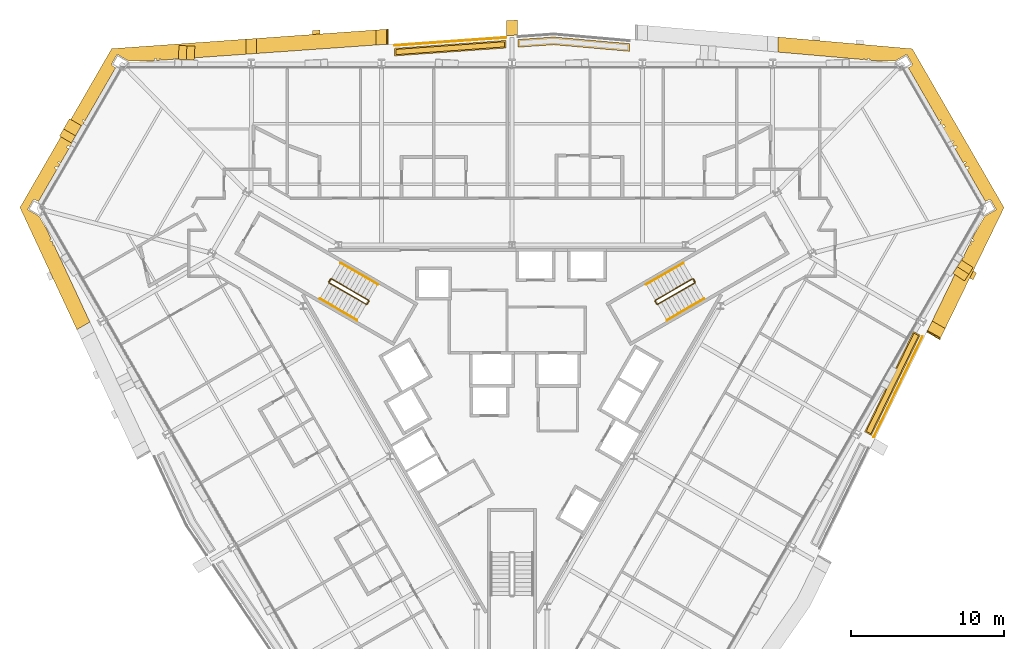
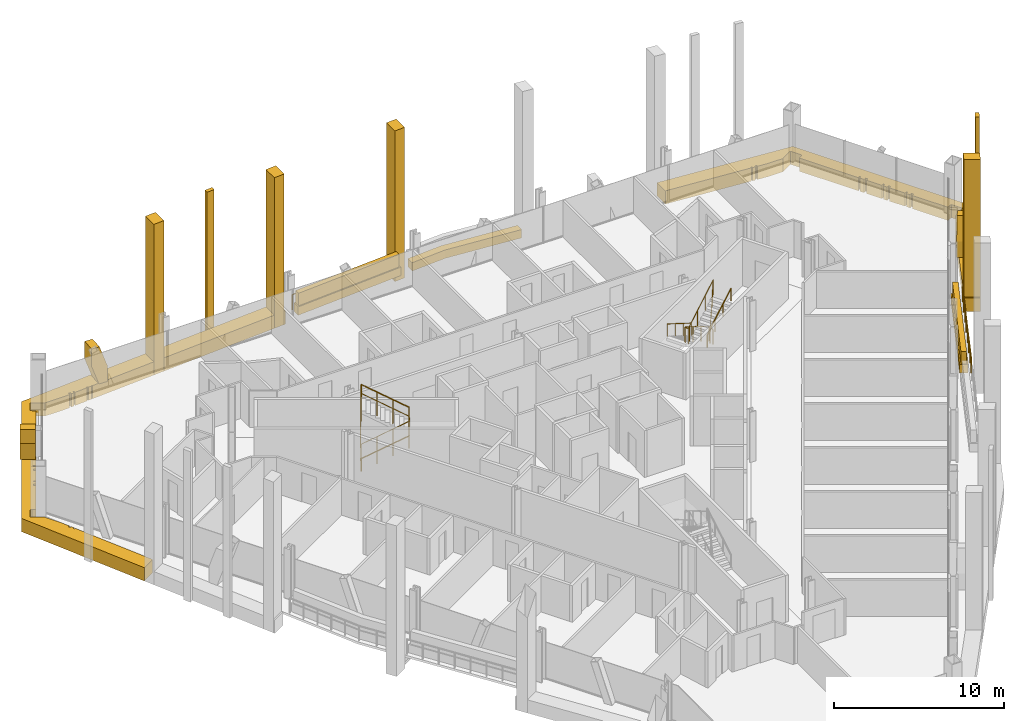
# One storey, part 17 of 18: 19 coverings, 8 railings.
"""IFC4 building model written with IfcOpenShell, lengths in metres."""

from ifc_helpers import new_model, si_unit, direction, frame, origin, origin_2d, place, context, subcontext, project, spatial, polyline, circle, outline, extrude, material, layer, layer_set, type_object, element, save


model = new_model("IFC4")

# Units and contexts
model_context = context("Model", 3, precision=1e-05, world=origin(), true_north=direction((0.0, 1.0)))
body_context = subcontext(model_context, "Body", "Model", "MODEL_VIEW")
ifc_project = project(units=[si_unit("LENGTHUNIT", "METRE"), si_unit("AREAUNIT", "SQUARE_METRE"), si_unit("VOLUMEUNIT", "CUBIC_METRE"), si_unit("PLANEANGLEUNIT", "RADIAN"), si_unit("MASSUNIT", "GRAM", prefix="KILO")], contexts=[model_context])

# Site, building, storey
site_placement = place(None, origin())
site = spatial("IfcSite", under=ifc_project, at=site_placement, CompositionType="ELEMENT")
building_placement = place(site_placement, origin())
building = spatial("IfcBuilding", under=site, at=building_placement, Name="Verrane Prism Tower", CompositionType="ELEMENT")
storey_placement = place(building_placement, frame((0.0, 0.0, 47.60009765625)))
storey = spatial("IfcBuildingStorey", under=building, at=storey_placement, Name="L09", CompositionType="ELEMENT", Elevation=47.60009765625)

# Coverings
ifc_material_1 = material(Name="Planting medium in stone kerb", Category="masonry")
covering_type_1 = type_object("IfcCoveringType", Name="Planter bed 600", PredefinedType="USERDEFINED", material=ifc_material_1)
covering_1_placement = place(storey_placement, origin())
element("IfcCovering", 1, at=covering_1_placement, inside=storey, type_object=covering_type_1, Name="Loggia planter N3 L09", ObjectType="PLANTER", PredefinedType="USERDEFINED", context=body_context, shape_type="SweptSolid", body=[
    extrude(outline(polyline([(7.666015625, 22.3369140625), (2.723388671875, 22.77001953125), (0.39990234375, 22.605712890625), (0.39990234375, 22.105712890625), (2.723388671875, 22.27001953125), (7.666015625, 21.8369140625), (7.666015625, 22.3369140625)])), origin(), (0.0, 0.0, 1.0), 0.599853515625),
])
covering_2_placement = place(storey_placement, origin())
element("IfcCovering", 2, at=covering_2_placement, inside=storey, type_object=covering_type_1, Name="Loggia planter N4 L09", ObjectType="PLANTER", PredefinedType="USERDEFINED", context=body_context, shape_type="SweptSolid", body=[
    extrude(outline(polyline([(-0.39990234375, 22.549072265625), (-7.666015625, 22.034912109375), (-7.666015625, 21.534912109375), (-0.39990234375, 22.049072265625), (-0.39990234375, 22.549072265625)])), origin(), (0.0, 0.0, 1.0), 0.599853515625),
])
covering_3_placement = place(storey_placement, origin())
element("IfcCovering", 3, at=covering_3_placement, inside=storey, type_object=covering_type_1, Name="Loggia planter SE5 L09", ObjectType="PLANTER", PredefinedType="USERDEFINED", context=body_context, shape_type="SweptSolid", body=[
    extrude(outline(polyline([(23.46435546875, -3.251708984375), (26.65234375, 3.2978515625), (26.21923828125, 3.5478515625), (23.03125, -3.001708984375), (23.46435546875, -3.251708984375)])), origin(), (0.0, 0.0, 1.0), 0.599853515625),
])
ifc_material_2 = material(Name="Planted shrubs and grasses", Category="other")
covering_type_2 = type_object("IfcCoveringType", Name="Planting mass 1000", PredefinedType="USERDEFINED", material=ifc_material_2)
covering_4_placement = place(storey_placement, frame((0.0, 0.0, 0.599853515625)))
element("IfcCovering", 4, at=covering_4_placement, inside=storey, type_object=covering_type_2, Name="Loggia planting N4 L09", ObjectType="PLANTING", PredefinedType="USERDEFINED", context=body_context, shape_type="SweptSolid", body=[
    extrude(outline(polyline([(-7.586181640625, 21.96044921875), (-7.586181640625, 21.620849609375), (-0.47998046875, 22.12353515625), (-0.47998046875, 22.463134765625), (-7.586181640625, 21.96044921875)])), origin(), (0.0, 0.0, 1.0), 0.900146484375),
])
covering_5_placement = place(storey_placement, frame((0.0, 0.0, 0.599853515625)))
element("IfcCovering", 5, at=covering_5_placement, inside=storey, type_object=covering_type_2, Name="Loggia planting SE5 L09", ObjectType="PLANTING", PredefinedType="USERDEFINED", context=body_context, shape_type="SweptSolid", body=[
    extrude(outline(polyline([(26.547607421875, 3.265869140625), (26.253662109375, 3.435791015625), (23.135986328125, -2.9697265625), (23.429931640625, -3.139404296875), (26.547607421875, 3.265869140625)])), origin(), (0.0, 0.0, 1.0), 0.900146484375),
])

# Railings
ifc_material_3 = material(Name="Steel A36 rail and posts, no infill", Category="steel")
railing_type_1 = type_object("IfcRailingType", Name="Stair guard 1100 steel rail and posts", PredefinedType="GUARDRAIL", material=ifc_material_3)
railing_1_placement = place(storey_placement, frame((11.78955078125, 6.97998046875, 0.16357421875)))
element("IfcRailing", 6, at=railing_1_placement, inside=storey, type_object=railing_type_1, Name="Stair 1 guard", PredefinedType="GUARDRAIL", context=body_context, shape_type="SweptSolid", body=[
    extrude(circle(Radius=0.02392578125, at=origin_2d()), frame((0.0, 0.0, 1.076171875), z_axis=(-0.747693913401, -0.431738279637, 0.504535300807), x_axis=(0.500049511043, -0.865996816683, 0.0)), (0.0, 0.0, 1.0), 3.2431640625),
    extrude(circle(Radius=0.02392578125, at=origin_2d()), frame((-2.4248046875, -1.400146484375, 2.71240234375), z_axis=(-0.259601060869, -0.965715946433, 0.0), x_axis=(0.965715946433, -0.259601060869, 0.0)), (0.0, 0.0, 1.0), 0.070556640625),
    extrude(circle(Radius=0.02392578125, at=origin_2d()), frame((-2.443115234375, -1.46826171875, 2.71240234375), z_axis=(0.499158860599, -0.866510491504, 0.0), x_axis=(0.866510491504, 0.499158860599, 0.0)), (0.0, 0.0, 1.0), 0.199951171875),
    extrude(circle(Radius=0.02392578125, at=origin_2d()), frame((-2.34326171875, -1.6416015625, 2.71240234375), z_axis=(0.383070988865, -0.102608300589, 0.918002262601), x_axis=(0.258736085224, 0.965948051503, 0.0)), (0.0, 0.0, 1.0), 0.178466796875),
    extrude(circle(Radius=0.02392578125, at=origin_2d()), frame((-2.27490234375, -1.659912109375, 2.8759765625), z_axis=(0.747693913401, 0.431738279637, 0.504535300807), x_axis=(-0.500049511043, 0.865996816683, 0.0)), (0.0, 0.0, 1.0), 3.2431640625),
    extrude(circle(Radius=0.02392578125, at=origin_2d()), frame((0.14990234375, -0.259765625, 4.51220703125), z_axis=(-0.022595193939, 0.066906128161, -0.9975033971), x_axis=(-0.947430582667, -0.3199613899, 0.0)), (0.0, 0.0, 1.0), 3.60888671875),
    extrude(circle(Radius=0.02392578125, at=origin_2d()), frame((0.068359375, -0.018310546875, 0.91259765625), z_axis=(0.499158860599, -0.866510491504, 0.0), x_axis=(0.866510491504, 0.499158860599, 0.0)), (0.0, 0.0, 1.0), 0.199951171875),
    extrude(circle(Radius=0.02099609375, at=origin_2d()), origin(), (0.0, 0.0, 1.0), 1.052001953125),
    extrude(circle(Radius=0.02099609375, at=origin_2d()), frame((-0.808349609375, -0.466796875, 0.54541015625)), (0.0, 0.0, 1.0), 1.052001953125),
    extrude(circle(Radius=0.02099609375, at=origin_2d()), frame((-1.616455078125, -0.933349609375, 1.0908203125)), (0.0, 0.0, 1.0), 1.052001953125),
    extrude(circle(Radius=0.02099609375, at=origin_2d()), frame((-2.4248046875, -1.400146484375, 1.63623046875)), (0.0, 0.0, 1.0), 1.052001953125),
    extrude(circle(Radius=0.02099609375, at=origin_2d()), frame((-2.443115234375, -1.46826171875, 1.63623046875)), (0.0, 0.0, 1.0), 1.052001953125),
    extrude(circle(Radius=0.02099609375, at=origin_2d()), frame((-2.34326171875, -1.6416015625, 1.63623046875)), (0.0, 0.0, 1.0), 1.052001953125),
    extrude(circle(Radius=0.02099609375, at=origin_2d()), frame((-2.27490234375, -1.659912109375, 1.800048828125)), (0.0, 0.0, 1.0), 1.052001953125),
    extrude(circle(Radius=0.02099609375, at=origin_2d()), frame((-1.466552734375, -1.193115234375, 2.345458984375)), (0.0, 0.0, 1.0), 1.052001953125),
    extrude(circle(Radius=0.02099609375, at=origin_2d()), frame((-0.658447265625, -0.7265625, 2.890869140625)), (0.0, 0.0, 1.0), 1.052001953125),
    extrude(circle(Radius=0.02099609375, at=origin_2d()), frame((0.14990234375, -0.259765625, 3.436279296875)), (0.0, 0.0, 1.0), 1.052001953125),
    extrude(circle(Radius=0.02099609375, at=origin_2d()), frame((0.12939453125, -0.199462890625, 2.536376953125)), (0.0, 0.0, 1.0), 1.052001953125),
    extrude(circle(Radius=0.02099609375, at=origin_2d()), frame((0.109130859375, -0.13916015625, 1.63623046875)), (0.0, 0.0, 1.0), 1.052001953125),
    extrude(circle(Radius=0.02099609375, at=origin_2d()), frame((0.0888671875, -0.07861328125, 0.736328125)), (0.0, 0.0, 1.0), 1.052001953125),
    extrude(circle(Radius=0.02099609375, at=origin_2d()), frame((0.068359375, -0.018310546875, -0.16357421875)), (0.0, 0.0, 1.0), 1.052001953125),
    extrude(circle(Radius=0.02099609375, at=origin_2d()), frame((0.168212890625, -0.191650390625, -0.16357421875)), (0.0, 0.0, 1.0), 1.052001953125),
])
railing_2_placement = place(storey_placement, frame((-11.939453125, 6.72021484375, 0.16357421875)))
element("IfcRailing", 7, at=railing_2_placement, inside=storey, type_object=railing_type_1, Name="Stair 2 guard", PredefinedType="GUARDRAIL", context=body_context, shape_type="SweptSolid", body=[
    extrude(circle(Radius=0.02392578125, at=origin_2d()), frame((0.0, 0.0, 1.076171875), z_axis=(0.747693913401, -0.431738279637, 0.504535300807), x_axis=(0.500049511043, 0.865996816683, 0.0)), (0.0, 0.0, 1.0), 3.2431640625),
    extrude(circle(Radius=0.02392578125, at=origin_2d()), frame((2.4248046875, -1.400146484375, 2.71240234375), z_axis=(0.965948051503, 0.258736085224, 0.0), x_axis=(-0.258736085224, 0.965948051503, 0.0)), (0.0, 0.0, 1.0), 0.07080078125),
    extrude(circle(Radius=0.02392578125, at=origin_2d()), frame((2.4931640625, -1.3818359375, 2.71240234375), z_axis=(0.499158860599, 0.866510491504, 0.0), x_axis=(-0.866510491504, 0.499158860599, 0.0)), (0.0, 0.0, 1.0), 0.199951171875),
    extrude(circle(Radius=0.02392578125, at=origin_2d()), frame((2.593017578125, -1.20849609375, 2.71240234375), z_axis=(-0.10266202204, 0.381902721988, 0.918482890515), x_axis=(-0.965715946433, -0.259601060869, 0.0)), (0.0, 0.0, 1.0), 0.178466796875),
    extrude(circle(Radius=0.02392578125, at=origin_2d()), frame((2.57470703125, -1.140380859375, 2.8759765625), z_axis=(-0.747693913401, 0.431738279637, 0.504535300807), x_axis=(-0.500049511043, -0.865996816683, 0.0)), (0.0, 0.0, 1.0), 3.2431640625),
    extrude(circle(Radius=0.02392578125, at=origin_2d()), frame((0.14990234375, 0.259765625, 4.51220703125), z_axis=(-0.046610908435, -0.053105316576, -0.997500500534), x_axis=(0.751567565678, -0.659656118156, 0.0)), (0.0, 0.0, 1.0), 3.60888671875),
    extrude(circle(Radius=0.02392578125, at=origin_2d()), frame((-0.018310546875, 0.068115234375, 0.91259765625), z_axis=(0.499158860599, 0.866510491504, 0.0), x_axis=(-0.866510491504, 0.499158860599, 0.0)), (0.0, 0.0, 1.0), 0.199951171875),
    extrude(circle(Radius=0.02099609375, at=origin_2d()), origin(), (0.0, 0.0, 1.0), 1.052001953125),
    extrude(circle(Radius=0.02099609375, at=origin_2d()), frame((0.808349609375, -0.466796875, 0.54541015625)), (0.0, 0.0, 1.0), 1.052001953125),
    extrude(circle(Radius=0.02099609375, at=origin_2d()), frame((1.616455078125, -0.933349609375, 1.0908203125)), (0.0, 0.0, 1.0), 1.052001953125),
    extrude(circle(Radius=0.02099609375, at=origin_2d()), frame((2.4248046875, -1.400146484375, 1.63623046875)), (0.0, 0.0, 1.0), 1.052001953125),
    extrude(circle(Radius=0.02099609375, at=origin_2d()), frame((2.4931640625, -1.3818359375, 1.63623046875)), (0.0, 0.0, 1.0), 1.052001953125),
    extrude(circle(Radius=0.02099609375, at=origin_2d()), frame((2.593017578125, -1.20849609375, 1.63623046875)), (0.0, 0.0, 1.0), 1.052001953125),
    extrude(circle(Radius=0.02099609375, at=origin_2d()), frame((2.57470703125, -1.140380859375, 1.800048828125)), (0.0, 0.0, 1.0), 1.052001953125),
    extrude(circle(Radius=0.02099609375, at=origin_2d()), frame((1.766357421875, -0.673583984375, 2.345458984375)), (0.0, 0.0, 1.0), 1.052001953125),
    extrude(circle(Radius=0.02099609375, at=origin_2d()), frame((0.958251953125, -0.20703125, 2.890869140625)), (0.0, 0.0, 1.0), 1.052001953125),
    extrude(circle(Radius=0.02099609375, at=origin_2d()), frame((0.14990234375, 0.259765625, 3.436279296875)), (0.0, 0.0, 1.0), 1.052001953125),
    extrude(circle(Radius=0.02099609375, at=origin_2d()), frame((0.10791015625, 0.2119140625, 2.536376953125)), (0.0, 0.0, 1.0), 1.052001953125),
    extrude(circle(Radius=0.02099609375, at=origin_2d()), frame((0.06591796875, 0.1640625, 1.63623046875)), (0.0, 0.0, 1.0), 1.052001953125),
    extrude(circle(Radius=0.02099609375, at=origin_2d()), frame((0.023681640625, 0.115966796875, 0.736328125)), (0.0, 0.0, 1.0), 1.052001953125),
    extrude(circle(Radius=0.02099609375, at=origin_2d()), frame((-0.018310546875, 0.068115234375, -0.16357421875)), (0.0, 0.0, 1.0), 1.052001953125),
    extrude(circle(Radius=0.02099609375, at=origin_2d()), frame((0.08154296875, 0.241455078125, -0.16357421875)), (0.0, 0.0, 1.0), 1.052001953125),
])
ifc_material_4 = material(Name="Steel A36 tube", Category="steel")
railing_type_2 = type_object("IfcRailingType", Name="Stair handrail 900 steel tube", PredefinedType="HANDRAIL", material=ifc_material_4)
railing_3_placement = place(storey_placement, frame((11.189453125, 8.01904296875, 0.16357421875)))
element("IfcRailing", 8, at=railing_3_placement, inside=storey, type_object=railing_type_2, Name="Stair 1 handrail", PredefinedType="HANDRAIL", context=body_context, shape_type="SweptSolid", body=[
    extrude(circle(Radius=0.02392578125, at=origin_2d()), frame((0.0, 0.0, 0.8759765625), z_axis=(-0.74771821388, -0.431677027627, 0.504551698492), x_axis=(0.49998411664, -0.866034573852, 0.0)), (0.0, 0.0, 1.0), 3.242919921875),
    extrude(circle(Radius=0.02099609375, at=origin_2d()), origin(), (0.0, 0.0, 1.0), 0.851806640625),
    extrude(circle(Radius=0.02099609375, at=origin_2d()), frame((-0.808349609375, -0.466552734375, 0.54541015625)), (0.0, 0.0, 1.0), 0.851806640625),
    extrude(circle(Radius=0.02099609375, at=origin_2d()), frame((-1.616455078125, -0.933349609375, 1.0908203125)), (0.0, 0.0, 1.0), 0.851806640625),
    extrude(circle(Radius=0.02099609375, at=origin_2d()), frame((-2.4248046875, -1.39990234375, 1.63623046875)), (0.0, 0.0, 1.0), 0.851806640625),
])
railing_4_placement = place(storey_placement, frame((10.11474609375, 4.28076171875, 1.963623046875)))
element("IfcRailing", 9, at=railing_4_placement, inside=storey, type_object=railing_type_2, Name="Stair 1 handrail", PredefinedType="HANDRAIL", context=body_context, shape_type="SweptSolid", body=[
    extrude(circle(Radius=0.02392578125, at=origin_2d()), frame((0.0, 0.0, 0.8759765625), z_axis=(0.747693913401, 0.431738279637, 0.504535300807), x_axis=(-0.500049511043, 0.865996816683, 0.0)), (0.0, 0.0, 1.0), 3.2431640625),
    extrude(circle(Radius=0.02099609375, at=origin_2d()), origin(), (0.0, 0.0, 1.0), 0.851806640625),
    extrude(circle(Radius=0.02099609375, at=origin_2d()), frame((0.808349609375, 0.466796875, 0.54541015625)), (0.0, 0.0, 1.0), 0.851806640625),
    extrude(circle(Radius=0.02099609375, at=origin_2d()), frame((1.616455078125, 0.933349609375, 1.0908203125)), (0.0, 0.0, 1.0), 0.851806640625),
    extrude(circle(Radius=0.02099609375, at=origin_2d()), frame((2.4248046875, 1.400146484375, 1.63623046875)), (0.0, 0.0, 1.0), 0.851806640625),
])
railing_5_placement = place(storey_placement, frame((-12.53955078125, 5.680908203125, 0.16357421875)))
element("IfcRailing", 10, at=railing_5_placement, inside=storey, type_object=railing_type_2, Name="Stair 2 handrail", PredefinedType="HANDRAIL", context=body_context, shape_type="SweptSolid", body=[
    extrude(circle(Radius=0.02392578125, at=origin_2d()), frame((0.0, 0.0, 0.8759765625), z_axis=(0.747693913401, -0.431738279637, 0.504535300807), x_axis=(0.500049511043, 0.865996816683, 0.0)), (0.0, 0.0, 1.0), 3.2431640625),
    extrude(circle(Radius=0.02099609375, at=origin_2d()), origin(), (0.0, 0.0, 1.0), 0.851806640625),
    extrude(circle(Radius=0.02099609375, at=origin_2d()), frame((0.808349609375, -0.466796875, 0.54541015625)), (0.0, 0.0, 1.0), 0.851806640625),
    extrude(circle(Radius=0.02099609375, at=origin_2d()), frame((1.616455078125, -0.933349609375, 1.0908203125)), (0.0, 0.0, 1.0), 0.851806640625),
    extrude(circle(Radius=0.02099609375, at=origin_2d()), frame((2.4248046875, -1.400146484375, 1.63623046875)), (0.0, 0.0, 1.0), 0.851806640625),
])
railing_6_placement = place(storey_placement, frame((-8.7646484375, 6.619140625, 1.963623046875)))
element("IfcRailing", 11, at=railing_6_placement, inside=storey, type_object=railing_type_2, Name="Stair 2 handrail", PredefinedType="HANDRAIL", context=body_context, shape_type="SweptSolid", body=[
    extrude(circle(Radius=0.02392578125, at=origin_2d()), frame((0.0, 0.0, 0.8759765625), z_axis=(-0.74771821388, 0.431677027627, 0.504551698492), x_axis=(-0.49998411664, -0.866034573852, 0.0)), (0.0, 0.0, 1.0), 3.242919921875),
    extrude(circle(Radius=0.02099609375, at=origin_2d()), origin(), (0.0, 0.0, 1.0), 0.851806640625),
    extrude(circle(Radius=0.02099609375, at=origin_2d()), frame((-0.808349609375, 0.466552734375, 0.54541015625)), (0.0, 0.0, 1.0), 0.851806640625),
    extrude(circle(Radius=0.02099609375, at=origin_2d()), frame((-1.616455078125, 0.933349609375, 1.0908203125)), (0.0, 0.0, 1.0), 0.851806640625),
    extrude(circle(Radius=0.02099609375, at=origin_2d()), frame((-2.4248046875, 1.39990234375, 1.63623046875)), (0.0, 0.0, 1.0), 0.851806640625),
])

# Coverings
ifc_material_5 = material(Name="Warm limestone cladding", Category="masonry")
ifc_layer_1 = layer(ifc_material_5, 0.89990234375)
ifc_layer_set_1 = layer_set([ifc_layer_1], Name="Stone brace fin 900")
covering_type_3 = type_object("IfcCoveringType", Name="Stone brace fin 900", PredefinedType="CLADDING", material=ifc_layer_set_1)
covering_6_placement = place(storey_placement, frame((-20.725341796875, 21.722412109375, 0.0), z_axis=(0.0, 0.0, 1.0), x_axis=(-0.998802841294, 0.048917115844, 0.0)))
element("IfcCovering", 12, at=covering_6_placement, inside=storey, type_object=covering_type_3, Name="Stone brace fin N6 L09", PredefinedType="CLADDING", context=body_context, shape_type="SweptSolid", body=[
    extrude(outline(polyline([(1.0380859375, 2.64990234375), (0.522216796875, 2.64990234375), (0.0, 1.13671875), (0.0, 0.0), (0.559814453125, 0.0), (1.0380859375, 1.385986328125), (1.0380859375, 2.64990234375)])), frame((0.0, 0.449951171875, 0.0), z_axis=(0.0, -1.0, 0.0), x_axis=(1.0, 0.0, 0.0)), (0.0, 0.0, 1.0), 0.89990234375),
])
covering_7_placement = place(storey_placement, frame((29.1728515625, 7.090087890625, 0.0), z_axis=(0.0, 0.0, 1.0), x_axis=(0.541923093615, 0.840428081758, 0.0)))
element("IfcCovering", 13, at=covering_7_placement, inside=storey, type_object=covering_type_3, Name="Stone brace fin SE6 L09", PredefinedType="CLADDING", context=body_context, shape_type="SweptSolid", body=[
    extrude(outline(polyline([(1.037109375, 2.64990234375), (0.521240234375, 2.64990234375), (0.0, 1.137939453125), (0.0, 0.0), (0.5595703125, 0.0), (1.037109375, 1.385009765625), (1.037109375, 2.64990234375)])), frame((0.0, 0.449951171875, 0.0), z_axis=(0.0, -1.0, 0.0), x_axis=(1.0, 0.0, 0.0)), (0.0, 0.0, 1.0), 0.89990234375),
])
covering_8_placement = place(storey_placement, frame((-28.5029296875, 17.20849609375, 0.0), z_axis=(0.0, 0.0, 1.0), x_axis=(-0.499803477943, -0.866138836121, 0.0)))
element("IfcCovering", 14, at=covering_8_placement, inside=storey, type_object=covering_type_3, Name="Stone brace fin NW1 L09", PredefinedType="CLADDING", context=body_context, shape_type="SweptSolid", body=[
    extrude(outline(polyline([(1.30419921875, 2.64990234375), (0.766845703125, 2.64990234375), (0.0, 0.884521484375), (0.0, 0.0), (0.59716796875, 0.0), (1.30419921875, 1.62841796875), (1.30419921875, 2.64990234375)])), frame((0.0, 0.449951171875, 0.0), z_axis=(0.0, -1.0, 0.0), x_axis=(1.0, 0.0, 0.0)), (0.0, 0.0, 1.0), 0.89990234375),
])
ifc_material_6 = material(Name="Warm limestone cladding", Category="masonry")
covering_type_4 = type_object("IfcCoveringType", Name="Stone mullion pier 500", PredefinedType="CLADDING", material=ifc_material_6)
covering_9_placement = place(storey_placement, frame((0.0, 0.0, -0.9501953125)))
element("IfcCovering", 15, at=covering_9_placement, inside=storey, type_object=covering_type_4, Name="Stone pier SM-N4.1 L09-L11", PredefinedType="CLADDING", context=body_context, shape_type="SweptSolid", body=[
    extrude(outline(polyline([(-13.024169921875, 22.9365234375), (-12.524169921875, 22.9716796875), (-12.524169921875, 23.222412109375), (-13.024169921875, 23.18701171875), (-13.024169921875, 22.9365234375)])), origin(), (0.0, 0.0, 1.0), 10.800048828125),
])
covering_10_placement = place(storey_placement, frame((0.0, 0.0, -0.9501953125)))
element("IfcCovering", 16, at=covering_10_placement, inside=storey, type_object=covering_type_4, Name="Stone pier SM-SE5.1 L09-L11", PredefinedType="CLADDING", context=body_context, shape_type="SweptSolid", body=[
    extrude(outline(polyline([(30.112060546875, 7.4873046875), (29.892578125, 7.03662109375), (30.109619140625, 6.911376953125), (30.3291015625, 7.362060546875), (30.112060546875, 7.4873046875)])), origin(), (0.0, 0.0, 1.0), 10.800048828125),
])
ifc_material_7 = material(Name="Warm limestone cladding", Category="masonry")
covering_type_5 = type_object("IfcCoveringType", Name="Stone pier 700", PredefinedType="CLADDING", material=ifc_material_7)
covering_11_placement = place(storey_placement, frame((0.0, 0.0, -0.9501953125)))
element("IfcCovering", 17, at=covering_11_placement, inside=storey, type_object=covering_type_5, Name="Stone pier PC-N3 L09-L11", PredefinedType="CLADDING", context=body_context, shape_type="SweptSolid", body=[
    extrude(outline(polyline([(-0.35009765625, 23.8330078125), (-0.35009765625, 22.8525390625), (0.35009765625, 22.902099609375), (0.35009765625, 23.882568359375), (-0.35009765625, 23.8330078125)])), origin(), (0.0, 0.0, 1.0), 10.800048828125),
])
covering_12_placement = place(storey_placement, frame((0.0, 0.0, -0.9501953125)))
element("IfcCovering", 18, at=covering_12_placement, inside=storey, type_object=covering_type_5, Name="Stone pier PC-N4 L09-L11", PredefinedType="CLADDING", context=body_context, shape_type="SweptSolid", body=[
    extrude(outline(polyline([(-8.8662109375, 23.230712890625), (-8.8662109375, 22.25), (-8.166015625, 22.299560546875), (-8.166015625, 23.280029296875), (-8.8662109375, 23.230712890625)])), origin(), (0.0, 0.0, 1.0), 10.800048828125),
])
covering_13_placement = place(storey_placement, frame((0.0, 0.0, -0.9501953125)))
element("IfcCovering", 19, at=covering_13_placement, inside=storey, type_object=covering_type_5, Name="Stone pier PC-N5 L09-L11", PredefinedType="CLADDING", context=body_context, shape_type="SweptSolid", body=[
    extrude(outline(polyline([(-17.382080078125, 22.628173828125), (-17.382080078125, 21.647705078125), (-16.68212890625, 21.697265625), (-16.68212890625, 22.677734375), (-17.382080078125, 22.628173828125)])), origin(), (0.0, 0.0, 1.0), 10.800048828125),
])
covering_14_placement = place(storey_placement, frame((0.0, 0.0, -0.9501953125)))
element("IfcCovering", 20, at=covering_14_placement, inside=storey, type_object=covering_type_5, Name="Stone pier PC-SE5 L09-L11", PredefinedType="CLADDING", context=body_context, shape_type="SweptSolid", body=[
    extrude(outline(polyline([(28.28759765625, 3.7392578125), (27.4384765625, 4.2294921875), (27.13134765625, 3.5986328125), (27.98046875, 3.1083984375), (28.28759765625, 3.7392578125)])), origin(), (0.0, 0.0, 1.0), 10.800048828125),
])
ifc_material_8 = material(Name="Warm limestone cladding", Category="masonry")
ifc_layer_2 = layer(ifc_material_8, 0.449951171875)
ifc_layer_set_2 = layer_set([ifc_layer_2], Name="Stone spandrel band 450")
covering_type_6 = type_object("IfcCoveringType", Name="Stone spandrel band 450", PredefinedType="CLADDING", material=ifc_layer_set_2)
covering_15_placement = place(storey_placement, frame((0.0, 0.0, -0.9501953125)))
element("IfcCovering", 21, at=covering_15_placement, inside=storey, type_object=covering_type_6, Name="Stone spandrel band L09 part 2", PredefinedType="CLADDING", context=body_context, shape_type="SweptSolid", body=[
    extrude(outline(polyline([(17.382080078125, 21.78564453125), (22.94287109375, 21.29833984375), (22.94287109375, 21.3701171875), (23.015625, 21.3701171875), (23.015625, 21.2919921875), (23.2158203125, 21.2744140625), (23.2158203125, 21.3701171875), (23.33154296875, 21.3701171875), (23.33154296875, 21.26416015625), (24.026611328125, 21.203369140625), (25.02099609375, 21.203369140625), (25.775634765625, 21.63916015625), (26.15576171875, 20.98095703125), (26.136474609375, 20.9697265625), (26.08642578125, 20.886474609375), (25.877685546875, 20.76611328125), (27.8857421875, 17.2880859375), (27.98779296875, 17.385986328125), (28.04931640625, 17.32177734375), (27.931396484375, 17.208984375), (28.074462890625, 16.96142578125), (28.218994140625, 17.044921875), (28.2939453125, 16.9150390625), (28.1494140625, 16.83154296875), (28.681396484375, 15.91015625), (28.82568359375, 15.993408203125), (28.870849609375, 15.9150390625), (28.7265625, 15.831787109375), (28.856201171875, 15.607421875), (29.000244140625, 15.6904296875), (29.0751953125, 15.560791015625), (28.93115234375, 15.4775390625), (29.463134765625, 14.555908203125), (29.607177734375, 14.638916015625), (29.652099609375, 14.560791015625), (29.50830078125, 14.477783203125), (29.637939453125, 14.25341796875), (29.78173828125, 14.336181640625), (29.856689453125, 14.206298828125), (29.712890625, 14.12353515625), (30.92236328125, 12.028564453125), (31.12939453125, 12.148193359375), (31.226806640625, 12.148193359375), (31.24560546875, 12.1591796875), (31.625732421875, 11.5009765625), (30.87255859375, 11.06591796875), (30.194091796875, 9.89111328125), (30.04833984375, 9.591552734375), (30.170654296875, 9.52099609375), (30.112548828125, 9.420654296875), (29.99755859375, 9.4873046875), (29.909912109375, 9.306884765625), (30.012451171875, 9.24755859375), (29.97607421875, 9.1845703125), (29.8779296875, 9.2412109375), (29.514892578125, 8.495361328125), (29.56201171875, 8.468017578125), (29.50390625, 8.367919921875), (29.464111328125, 8.39111328125), (29.36962890625, 8.197265625), (29.3955078125, 8.1806640625), (29.35498046875, 8.1181640625), (29.3369140625, 8.1298828125), (27.4384765625, 4.2294921875), (28.28759765625, 3.7392578125), (32.128173828125, 11.629638671875), (26.140869140625, 22.0), (17.382080078125, 22.767333984375), (17.382080078125, 21.78564453125)])), origin(), (0.0, 0.0, 1.0), 0.9501953125),
])
covering_16_placement = place(storey_placement, frame((0.0, 0.0, -0.9501953125)))
element("IfcCovering", 22, at=covering_16_placement, inside=storey, type_object=covering_type_6, Name="Stone spandrel band L09 part 3", PredefinedType="CLADDING", context=body_context, shape_type="SweptSolid", body=[
    extrude(outline(polyline([(-27.55810546875, 4.16064453125), (-29.916015625, 9.21923828125), (-29.97607421875, 9.1845703125), (-30.012451171875, 9.24755859375), (-29.947021484375, 9.285400390625), (-30.03173828125, 9.467529296875), (-30.112548828125, 9.420654296875), (-30.170654296875, 9.52099609375), (-30.080810546875, 9.57275390625), (-30.3759765625, 10.2060546875), (-30.87255859375, 11.06591796875), (-31.625732421875, 11.5009765625), (-31.24560546875, 12.1591796875), (-31.226806640625, 12.148193359375), (-31.12939453125, 12.148193359375), (-30.92236328125, 12.028564453125), (-29.712890625, 14.12353515625), (-29.856689453125, 14.206298828125), (-29.78173828125, 14.336181640625), (-29.637939453125, 14.25341796875), (-29.50830078125, 14.477783203125), (-29.652099609375, 14.560791015625), (-29.607177734375, 14.638916015625), (-29.463134765625, 14.555908203125), (-28.93115234375, 15.4775390625), (-29.0751953125, 15.560791015625), (-29.000244140625, 15.6904296875), (-28.856201171875, 15.607421875), (-28.7265625, 15.831787109375), (-28.870849609375, 15.9150390625), (-28.82568359375, 15.993408203125), (-28.681396484375, 15.91015625), (-28.1494140625, 16.83154296875), (-28.2939453125, 16.9150390625), (-28.218994140625, 17.044921875), (-28.074462890625, 16.96142578125), (-27.931396484375, 17.208984375), (-28.04931640625, 17.32177734375), (-27.98779296875, 17.385986328125), (-27.8857421875, 17.2880859375), (-25.877685546875, 20.76611328125), (-26.08642578125, 20.886474609375), (-26.136474609375, 20.9697265625), (-26.15576171875, 20.98095703125), (-25.775634765625, 21.63916015625), (-25.02099609375, 21.203369140625), (-23.6630859375, 21.203369140625), (-23.33154296875, 21.226806640625), (-23.33154296875, 21.3701171875), (-23.2158203125, 21.3701171875), (-23.2158203125, 21.235107421875), (-23.015625, 21.249267578125), (-23.015625, 21.3701171875), (-22.94287109375, 21.3701171875), (-22.94287109375, 21.25439453125), (-22.114501953125, 21.31298828125), (-22.114501953125, 21.3701171875), (-21.99853515625, 21.3701171875), (-21.99853515625, 21.321044921875), (-21.78369140625, 21.336181640625), (-21.781982421875, 21.36962890625), (-21.70751953125, 21.365966796875), (-21.708740234375, 21.341552734375), (-17.382080078125, 21.647705078125), (-17.382080078125, 22.628173828125), (-26.135498046875, 22.009033203125), (-32.122802734375, 11.638671875), (-28.408203125, 3.669677734375), (-27.55810546875, 4.16064453125)])), origin(), (0.0, 0.0, 1.0), 0.9501953125),
])
covering_17_placement = place(storey_placement, frame((0.0, 0.0, -0.9501953125)))
element("IfcCovering", 23, at=covering_17_placement, inside=storey, type_object=covering_type_6, Name="Stone spandrel band L09 part 9", PredefinedType="CLADDING", context=body_context, shape_type="SweptSolid", body=[
    extrude(outline(polyline([(-16.68212890625, 21.697265625), (-8.8662109375, 22.25), (-8.8662109375, 23.230712890625), (-16.68212890625, 22.677734375), (-16.68212890625, 21.697265625)])), origin(), (0.0, 0.0, 1.0), 0.9501953125),
])
covering_18_placement = place(storey_placement, frame((0.0, 0.0, -0.9501953125)))
element("IfcCovering", 24, at=covering_18_placement, inside=storey, type_object=covering_type_6, Name="Stone spandrel band L09 part 13", PredefinedType="CLADDING", context=body_context, shape_type="SweptSolid", body=[
    extrude(outline(polyline([(27.08740234375, 3.508544921875), (27.936767578125, 3.018310546875), (27.98046875, 3.1083984375), (27.13134765625, 3.5986328125), (27.08740234375, 3.508544921875)])), origin(), (0.0, 0.0, 1.0), 0.9501953125),
])
covering_19_placement = place(storey_placement, frame((0.0, 0.0, -0.9501953125)))
element("IfcCovering", 25, at=covering_19_placement, inside=storey, type_object=covering_type_6, Name="Stone spandrel band L09 part 15", PredefinedType="CLADDING", context=body_context, shape_type="SweptSolid", body=[
    extrude(outline(polyline([(-8.066162109375, 22.306640625), (-8.066162109375, 23.287109375), (-8.166015625, 23.280029296875), (-8.166015625, 22.299560546875), (-8.066162109375, 22.306640625)])), origin(), (0.0, 0.0, 1.0), 0.9501953125),
])

# Railings
ifc_material_9 = material(Name="Stainless steel and laminated glass", Category="steel")
railing_type_3 = type_object("IfcRailingType", Name="Terrace guard 1100", PredefinedType="GUARDRAIL", material=ifc_material_9)
railing_7_placement = place(storey_placement, frame((-0.39990234375, 22.72900390625, 0.0)))
element("IfcRailing", 26, at=railing_7_placement, inside=storey, type_object=railing_type_3, Name="Loggia guard N4 L09", PredefinedType="GUARDRAIL", context=body_context, shape_type="SweptSolid", body=[
    extrude(circle(Radius=0.02392578125, at=origin_2d()), frame((0.0, 0.0, 1.076171875), z_axis=(-0.997508136137, -0.070551529688, 0.0), x_axis=(0.070551529688, -0.997508136137, 0.0)), (0.0, 0.0, 1.0), 7.2841796875),
    extrude(circle(Radius=0.02099609375, at=origin_2d()), origin(), (0.0, 0.0, 1.0), 1.052001953125),
    extrude(circle(Radius=0.02099609375, at=origin_2d()), frame((-1.0380859375, -0.073486328125, 0.0)), (0.0, 0.0, 1.0), 1.052001953125),
    extrude(circle(Radius=0.02099609375, at=origin_2d()), frame((-2.075927734375, -0.146728515625, 0.0)), (0.0, 0.0, 1.0), 1.052001953125),
    extrude(circle(Radius=0.02099609375, at=origin_2d()), frame((-3.114013671875, -0.22021484375, 0.0)), (0.0, 0.0, 1.0), 1.052001953125),
    extrude(circle(Radius=0.02099609375, at=origin_2d()), frame((-4.152099609375, -0.293701171875, 0.0)), (0.0, 0.0, 1.0), 1.052001953125),
    extrude(circle(Radius=0.02099609375, at=origin_2d()), frame((-5.190185546875, -0.3671875, 0.0)), (0.0, 0.0, 1.0), 1.052001953125),
    extrude(circle(Radius=0.02099609375, at=origin_2d()), frame((-6.22802734375, -0.4404296875, 0.0)), (0.0, 0.0, 1.0), 1.052001953125),
    extrude(circle(Radius=0.02099609375, at=origin_2d()), frame((-7.26611328125, -0.513916015625, 0.0)), (0.0, 0.0, 1.0), 1.052001953125),
])
railing_8_placement = place(storey_placement, frame((23.6201171875, -3.341796875, 0.0)))
element("IfcRailing", 27, at=railing_8_placement, inside=storey, type_object=railing_type_3, Name="Loggia guard SE5 L09", PredefinedType="GUARDRAIL", context=body_context, shape_type="SweptSolid", body=[
    extrude(circle(Radius=0.02392578125, at=origin_2d()), frame((0.0, 0.0, 1.076171875), z_axis=(0.437642967361, 0.899148838135, 0.0), x_axis=(-0.899148838135, 0.437642967361, 0.0)), (0.0, 0.0, 1.0), 7.284423828125),
    extrude(circle(Radius=0.02099609375, at=origin_2d()), origin(), (0.0, 0.0, 1.0), 1.052001953125),
    extrude(circle(Radius=0.02099609375, at=origin_2d()), frame((0.455322265625, 0.935791015625, 0.0)), (0.0, 0.0, 1.0), 1.052001953125),
    extrude(circle(Radius=0.02099609375, at=origin_2d()), frame((0.910888671875, 1.871337890625, 0.0)), (0.0, 0.0, 1.0), 1.052001953125),
    extrude(circle(Radius=0.02099609375, at=origin_2d()), frame((1.3662109375, 2.80712890625, 0.0)), (0.0, 0.0, 1.0), 1.052001953125),
    extrude(circle(Radius=0.02099609375, at=origin_2d()), frame((1.82177734375, 3.74267578125, 0.0)), (0.0, 0.0, 1.0), 1.052001953125),
    extrude(circle(Radius=0.02099609375, at=origin_2d()), frame((2.277099609375, 4.678466796875, 0.0)), (0.0, 0.0, 1.0), 1.052001953125),
    extrude(circle(Radius=0.02099609375, at=origin_2d()), frame((2.732666015625, 5.614013671875, 0.0)), (0.0, 0.0, 1.0), 1.052001953125),
    extrude(circle(Radius=0.02099609375, at=origin_2d()), frame((3.18798828125, 6.5498046875, 0.0)), (0.0, 0.0, 1.0), 1.052001953125),
])

save(model, "model.ifc")
